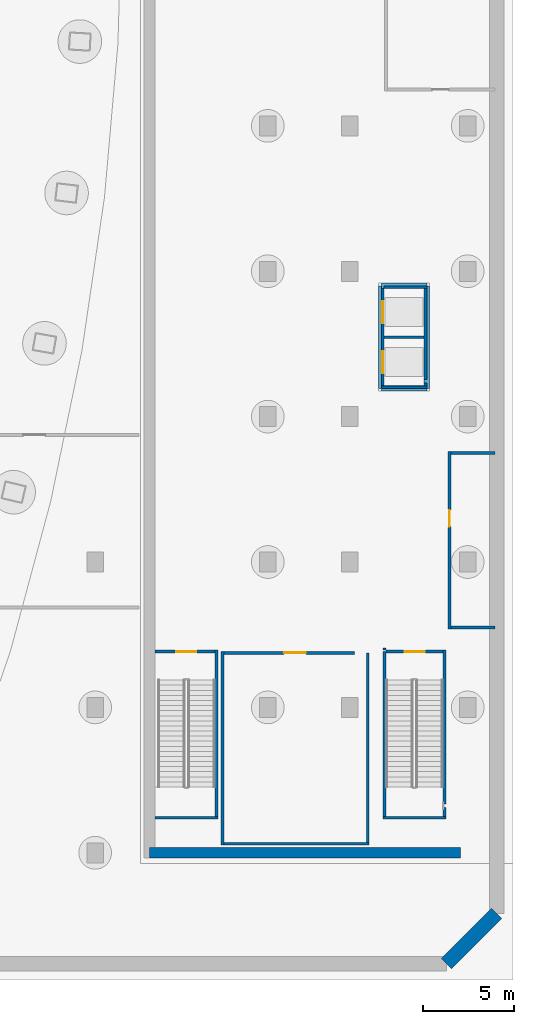
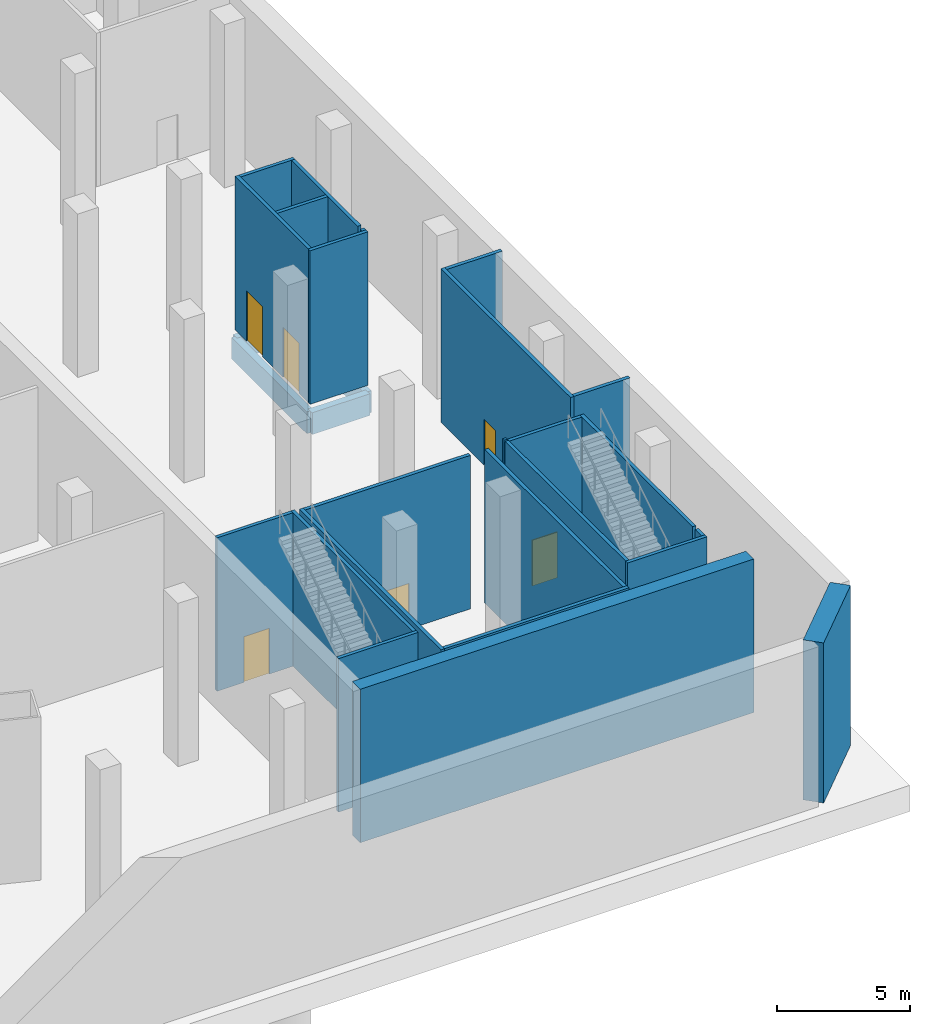
# One storey, part 7 of 19: 28 walls, 6 doors, 6 openings.
"""IFC4 building model written with IfcOpenShell, lengths in metres."""

from ifc_helpers import new_model, si_unit, direction, frame, frame_2d, origin, place, context, subcontext, project, spatial, rectangle, extrude, material, layer, layer_set, type_object, element, fill, save


model = new_model("IFC4")

# Units and contexts
model_context = context("Model", 3, precision=1e-05, world=origin(), true_north=direction((0.0, 1.0)))
body_context = subcontext(model_context, "Body", "Model", "MODEL_VIEW")
ifc_project = project(units=[si_unit("LENGTHUNIT", "METRE"), si_unit("AREAUNIT", "SQUARE_METRE"), si_unit("VOLUMEUNIT", "CUBIC_METRE"), si_unit("PLANEANGLEUNIT", "RADIAN"), si_unit("MASSUNIT", "GRAM", prefix="KILO")], contexts=[model_context])

# Site, building, storey
site_placement = place(None, origin())
site = spatial("IfcSite", under=ifc_project, at=site_placement, CompositionType="ELEMENT")
building_placement = place(site_placement, origin())
building = spatial("IfcBuilding", under=site, at=building_placement, Name="Alderwake Tower", CompositionType="ELEMENT")
storey_placement = place(building_placement, frame((0.0, 0.0, -14.0)))
storey = spatial("IfcBuildingStorey", under=building, at=storey_placement, Name="B2", CompositionType="ELEMENT", Elevation=-14.0)

# Walls
ifc_material_1 = material(Name="Concrete C50/60", Category="concrete")
ifc_layer_1 = layer(ifc_material_1, 0.800048828125)
ifc_layer_set_1 = layer_set([ifc_layer_1], Name="Basement retaining wall 800")
wall_type_1 = type_object("IfcWallType", Name="Basement retaining wall 800", PredefinedType="SOLIDWALL", material=ifc_layer_set_1)
wall_1_placement = place(storey_placement, frame((86.10009765625, 4.665771484375, -0.300048828125), z_axis=(0.0, 0.0, 1.0), x_axis=(-0.707106781187, -0.707106781187, 0.0)))
element("IfcWall", 1, at=wall_1_placement, inside=storey, type_object=wall_type_1, Name="Retaining wall 7", PredefinedType="SOLIDWALL", context=body_context, shape_type="SweptSolid", body=[
    extrude(rectangle(XDim=3.91162109375, YDim=0.800048828125, at=frame_2d((1.955810546875, 0.0))), origin(), (0.0, 0.0, 1.0), 7.35009765625),
])
ifc_material_2 = material(Name="Gypsum board on metal studs, rated")
ifc_layer_2 = layer(ifc_material_2, 0.159912109375)
ifc_layer_set_2 = layer_set([ifc_layer_2], Name="Corridor wall 160")
wall_type_2 = type_object("IfcWallType", Name="Corridor wall 160", PredefinedType="PARTITIONING", material=ifc_layer_set_2)
wall_2_placement = place(storey_placement, frame((71.0009765625, 8.4189453125, 0.0), z_axis=(0.0, 0.0, 1.0), x_axis=(0.0, 1.0, 0.0)))
element("IfcWall", 2, at=wall_2_placement, inside=storey, type_object=wall_type_2, Name="WL/B2/W59", PredefinedType="PARTITIONING", context=body_context, shape_type="SweptSolid", body=[
    extrude(rectangle(XDim=10.66015625, YDim=0.159912109375, at=frame_2d((5.330078125, 0.0))), origin(), (0.0, 0.0, 1.0), 7.050048828125),
])

# Wall, opening, door
wall_3_placement = place(storey_placement, frame((71.0810546875, 18.9990234375, 0.0), z_axis=(0.0, 0.0, 1.0), x_axis=(1.0, 0.0, 0.0)))
wall_3 = element("IfcWall", 3, at=wall_3_placement, inside=storey, type_object=wall_type_2, Name="WL/B2/W60", PredefinedType="PARTITIONING", context=body_context, shape_type="SweptSolid", body=[
    extrude(rectangle(XDim=7.179931640625, YDim=0.159912109375, at=frame_2d((3.58984375, 0.0))), origin(), (0.0, 0.0, 1.0), 7.050048828125),
])
opening_1_placement = place(wall_3_placement, frame((3.319091796875, 0.0, 0.0)))
opening_1 = element("IfcOpeningElement", 4, at=opening_1_placement, cuts=wall_3, Name="Opening B2-07", PredefinedType="OPENING", context=body_context, shape_type="SweptSolid", body=[
    extrude(rectangle(XDim=1.199951171875, YDim=2.10009765625, at=frame_2d((0.60009765625, 1.050048828125))), frame((0.0, 0.08984375, 0.0), z_axis=(0.0, -1.0, 0.0), x_axis=(1.0, 0.0, 0.0)), (0.0, 0.0, 1.0), 0.179931640625),
])
ifc_material_3 = material(Name="Steel door leaf in steel frame", Category="steel")
door_type_1 = type_object("IfcDoorType", Name="Plant room door 1200 steel", OperationType="SINGLE_SWING_LEFT", PredefinedType="DOOR", material=ifc_material_3)
door_1_placement = place(opening_1_placement, origin())
door_1 = element("IfcDoor", 5, at=door_1_placement, inside=storey, type_object=door_type_1, Name="DR/B2/07", OperationType="SINGLE_SWING_LEFT", OverallHeight=2.10009765625, OverallWidth=1.199951171875, PredefinedType="DOOR", context=body_context, shape_type="SweptSolid", body=[
    extrude(rectangle(XDim=1.199951171875, YDim=2.10009765625, at=frame_2d((0.60009765625, 1.050048828125))), frame((0.0, 0.02490234375, 0.0), z_axis=(0.0, -1.0, 0.0), x_axis=(1.0, 0.0, 0.0)), (0.0, 0.0, 1.0), 0.050048828125),
])
fill(opening_1, door_1)

# Walls
wall_4_placement = place(storey_placement, frame((79.0791015625, 8.4990234375, 0.0), z_axis=(0.0, 0.0, 1.0), x_axis=(-1.0, 0.0, 0.0)))
element("IfcWall", 6, at=wall_4_placement, inside=storey, type_object=wall_type_2, Name="WL/B2/W63", PredefinedType="PARTITIONING", context=body_context, shape_type="SweptSolid", body=[
    extrude(rectangle(XDim=7.998046875, YDim=0.159912109375, at=frame_2d((3.9990234375, 0.0))), origin(), (0.0, 0.0, 1.0), 7.050048828125),
])
wall_5_placement = place(storey_placement, frame((78.9990234375, 18.989990234375, 0.0), z_axis=(0.0, 0.0, 1.0), x_axis=(0.0, -1.0, 0.0)))
element("IfcWall", 7, at=wall_5_placement, inside=storey, type_object=wall_type_2, Name="WL/B2/W64", PredefinedType="PARTITIONING", context=body_context, shape_type="SweptSolid", body=[
    extrude(rectangle(XDim=10.410888671875, YDim=0.159912109375, at=frame_2d((5.20556640625, 0.0))), origin(), (0.0, 0.0, 1.0), 7.050048828125),
])

# Wall, opening, door
wall_6_placement = place(storey_placement, frame((83.4990234375, 20.320068359375, 0.0), z_axis=(0.0, 0.0, 1.0), x_axis=(0.0, 1.0, 0.0)))
wall_6 = element("IfcWall", 8, at=wall_6_placement, inside=storey, type_object=wall_type_2, Name="WL/B2/W69", PredefinedType="PARTITIONING", context=body_context, shape_type="SweptSolid", body=[
    extrude(rectangle(XDim=9.760009765625, YDim=0.159912109375, at=frame_2d((4.8798828125, 0.0))), origin(), (0.0, 0.0, 1.0), 7.050048828125),
])
opening_2_placement = place(wall_6_placement, frame((5.6298828125, 0.0, 0.0)))
opening_2 = element("IfcOpeningElement", 9, at=opening_2_placement, cuts=wall_6, Name="Opening B2-08", PredefinedType="OPENING", context=body_context, shape_type="SweptSolid", body=[
    extrude(rectangle(XDim=0.89990234375, YDim=2.10009765625, at=frame_2d((0.449951171875, 1.050048828125))), frame((0.0, 0.08984375, 0.0), z_axis=(0.0, -1.0, 0.0), x_axis=(1.0, 0.0, 0.0)), (0.0, 0.0, 1.0), 0.179931640625),
])
ifc_material_4 = material(Name="Painted timber leaf", Category="wood")
door_type_2 = type_object("IfcDoorType", Name="Room door 900", OperationType="SINGLE_SWING_LEFT", PredefinedType="DOOR", material=ifc_material_4)
door_2_placement = place(opening_2_placement, origin())
door_2 = element("IfcDoor", 10, at=door_2_placement, inside=storey, type_object=door_type_2, Name="DR/B2/08", OperationType="SINGLE_SWING_LEFT", OverallHeight=2.10009765625, OverallWidth=0.89990234375, PredefinedType="DOOR", context=body_context, shape_type="SweptSolid", body=[
    extrude(rectangle(XDim=0.89990234375, YDim=2.10009765625, at=frame_2d((0.449951171875, 1.050048828125))), frame((0.0, 0.02490234375, 0.0), z_axis=(0.0, -1.0, 0.0), x_axis=(1.0, 0.0, 0.0)), (0.0, 0.0, 1.0), 0.050048828125),
])
fill(opening_2, door_2)

# Walls
for number, where, z_axis, x_axis, name in (
    (11, (83.5791015625, 30.0, 0.0), (0.0, 0.0, 1.0), (1.0, 0.0, 0.0), "WL/B2/W70"),
    (12, (86.0009765625, 20.39990234375, 0.0), (0.0, 0.0, 1.0), (-1.0, 0.0, 0.0), "WL/B2/W71"),
):
    element("IfcWall", number, at=place(storey_placement, frame(where, z_axis=z_axis, x_axis=x_axis)), inside=storey, type_object=wall_type_2, Name=name, PredefinedType="PARTITIONING", context=body_context, shape_type="SweptSolid", body=[
        extrude(rectangle(XDim=2.421875, YDim=0.159912109375, at=frame_2d((1.2109375, 0.0))), origin(), (0.0, 0.0, 1.0), 7.050048828125),
    ])
ifc_material_5 = material(Name="Concrete C70/85", Category="concrete")
ifc_layer_3 = layer(ifc_material_5, 0.300048828125)
ifc_layer_set_3 = layer_set([ifc_layer_3], Name="Lift pit wall 300")
wall_type_3 = type_object("IfcWallType", Name="Lift pit wall 300", PredefinedType="SOLIDWALL", material=ifc_layer_set_3)
wall_7_placement = place(storey_placement, frame((79.75, 33.550048828125, -1.300048828125), z_axis=(0.0, 0.0, 1.0), x_axis=(1.0, 0.0, 0.0)))
element("IfcWall", 13, at=wall_7_placement, inside=storey, type_object=wall_type_3, Name="Lift pit wall 1", PredefinedType="SOLIDWALL", context=body_context, shape_type="SweptSolid", body=[
    extrude(rectangle(XDim=2.5, YDim=0.300048828125, at=frame_2d((1.25, 0.0))), origin(), (0.0, 0.0, 1.0), 1.0),
])
wall_8_placement = place(storey_placement, frame((82.25, 33.550048828125, -1.300048828125), z_axis=(0.0, 0.0, 1.0), x_axis=(0.0, 1.0, 0.0)))
element("IfcWall", 14, at=wall_8_placement, inside=storey, type_object=wall_type_3, Name="Lift pit wall 2", PredefinedType="SOLIDWALL", context=body_context, shape_type="SweptSolid", body=[
    extrude(rectangle(XDim=5.64990234375, YDim=0.300048828125, at=frame_2d((2.824951171875, 0.0))), origin(), (0.0, 0.0, 1.0), 1.0),
])
wall_9_placement = place(storey_placement, frame((82.25, 39.199951171875, -1.300048828125), z_axis=(0.0, 0.0, 1.0), x_axis=(-1.0, 0.0, 0.0)))
element("IfcWall", 15, at=wall_9_placement, inside=storey, type_object=wall_type_3, Name="Lift pit wall 3", PredefinedType="SOLIDWALL", context=body_context, shape_type="SweptSolid", body=[
    extrude(rectangle(XDim=2.5, YDim=0.300048828125, at=frame_2d((1.25, 0.0))), origin(), (0.0, 0.0, 1.0), 1.0),
])
wall_10_placement = place(storey_placement, frame((79.75, 39.199951171875, -1.300048828125), z_axis=(0.0, 0.0, 1.0), x_axis=(0.0, -1.0, 0.0)))
element("IfcWall", 16, at=wall_10_placement, inside=storey, type_object=wall_type_3, Name="Lift pit wall 4", PredefinedType="SOLIDWALL", context=body_context, shape_type="SweptSolid", body=[
    extrude(rectangle(XDim=5.64990234375, YDim=0.300048828125, at=frame_2d((2.824951171875, 0.0))), origin(), (0.0, 0.0, 1.0), 1.0),
])

# Wall, opening, door
ifc_material_6 = material(Name="Gypsum shaft wall system, rated")
ifc_layer_4 = layer(ifc_material_6, 0.14990234375)
ifc_layer_set_4 = layer_set([ifc_layer_4], Name="Riser and shaft wall 150")
wall_type_4 = type_object("IfcWallType", Name="Riser and shaft wall 150", PredefinedType="PARTITIONING", material=ifc_layer_set_4)
wall_11_placement = place(storey_placement, frame((67.300048828125, 19.073974609375, 0.0), z_axis=(0.0, 0.0, 1.0), x_axis=(1.0, 0.0, 0.0)))
wall_11 = element("IfcWall", 17, at=wall_11_placement, inside=storey, type_object=wall_type_4, Name="WL/B2/W14", PredefinedType="PARTITIONING", context=body_context, shape_type="SweptSolid", body=[
    extrude(rectangle(XDim=3.299072265625, YDim=0.14990234375, at=frame_2d((1.6494140625, 0.0))), origin(), (0.0, 0.0, 1.0), 7.050048828125),
])
opening_3_placement = place(wall_11_placement, frame((1.175048828125, 0.0, 0.0)))
opening_3 = element("IfcOpeningElement", 18, at=opening_3_placement, cuts=wall_11, Name="Opening B2-01", PredefinedType="OPENING", context=body_context, shape_type="SweptSolid", body=[
    extrude(rectangle(XDim=1.10009765625, YDim=2.10009765625, at=frame_2d((0.550048828125, 1.050048828125))), frame((0.0, 0.0849609375, 0.0), z_axis=(0.0, -1.0, 0.0), x_axis=(1.0, 0.0, 0.0)), (0.0, 0.0, 1.0), 0.169921875),
])
ifc_material_7 = material(Name="Steel-framed fire door leaf", Category="steel")
door_type_3 = type_object("IfcDoorType", Name="Stair door 1100 fire-rated", OperationType="SINGLE_SWING_LEFT", PredefinedType="DOOR", material=ifc_material_7)
door_3_placement = place(opening_3_placement, origin())
door_3 = element("IfcDoor", 19, at=door_3_placement, inside=storey, type_object=door_type_3, Name="DR/B2/01", OperationType="SINGLE_SWING_LEFT", OverallHeight=2.10009765625, OverallWidth=1.10009765625, PredefinedType="DOOR", context=body_context, shape_type="SweptSolid", body=[
    extrude(rectangle(XDim=1.10009765625, YDim=2.10009765625, at=frame_2d((0.550048828125, 1.050048828125))), frame((0.0, 0.02490234375, 0.0), z_axis=(0.0, -1.0, 0.0), x_axis=(1.0, 0.0, 0.0)), (0.0, 0.0, 1.0), 0.050048828125),
])
fill(opening_3, door_3)

# Wall
wall_12_placement = place(storey_placement, frame((79.7490234375, 33.6240234375, 0.0), z_axis=(0.0, 0.0, 1.0), x_axis=(1.0, 0.0, 0.0)))
element("IfcWall", 20, at=wall_12_placement, inside=storey, type_object=wall_type_4, Name="WL/B2/W21", PredefinedType="PARTITIONING", context=body_context, shape_type="SweptSolid", body=[
    extrude(rectangle(XDim=2.501953125, YDim=0.14990234375, at=frame_2d((1.2509765625, 0.0))), origin(), (0.0, 0.0, 1.0), 7.050048828125),
])

# Wall, openings, doors
wall_13_placement = place(storey_placement, frame((79.823974609375, 33.698974609375, 0.0), z_axis=(0.0, 0.0, 1.0), x_axis=(0.0, 1.0, 0.0)))
wall_13 = element("IfcWall", 21, at=wall_13_placement, inside=storey, type_object=wall_type_4, Name="WL/B2/W22", PredefinedType="PARTITIONING", context=body_context, shape_type="SweptSolid", body=[
    extrude(rectangle(XDim=5.501953125, YDim=0.14990234375, at=frame_2d((2.7509765625, 0.0))), origin(), (0.0, 0.0, 1.0), 7.050048828125),
])
opening_4_placement = place(wall_13_placement, frame((0.700927734375, 0.0, 0.0)))
opening_4 = element("IfcOpeningElement", 22, at=opening_4_placement, cuts=wall_13, Name="Opening LD-SL1", PredefinedType="OPENING", context=body_context, shape_type="SweptSolid", body=[
    extrude(rectangle(XDim=1.199951171875, YDim=2.300048828125, at=frame_2d((0.60009765625, 1.14990234375))), frame((0.0, 0.0849609375, 0.0), z_axis=(0.0, -1.0, 0.0), x_axis=(1.0, 0.0, 0.0)), (0.0, 0.0, 1.0), 0.169921875),
])
opening_5_placement = place(wall_13_placement, frame((3.450927734375, 0.0, 0.0)))
opening_5 = element("IfcOpeningElement", 23, at=opening_5_placement, cuts=wall_13, Name="Opening LD-SL2", PredefinedType="OPENING", context=body_context, shape_type="SweptSolid", body=[
    extrude(rectangle(XDim=1.199951171875, YDim=2.300048828125, at=frame_2d((0.60009765625, 1.14990234375))), frame((0.0, 0.0849609375, 0.0), z_axis=(0.0, -1.0, 0.0), x_axis=(1.0, 0.0, 0.0)), (0.0, 0.0, 1.0), 0.169921875),
])
ifc_material_8 = material(Name="Stainless steel sliding leaf", Category="steel")
door_type_4 = type_object("IfcDoorType", Name="Lift landing door 1200", OperationType="SLIDING_TO_LEFT", PredefinedType="DOOR", material=ifc_material_8)
door_4_placement = place(opening_4_placement, origin())
door_4 = element("IfcDoor", 24, at=door_4_placement, inside=storey, type_object=door_type_4, Name="DR/B2/05", OperationType="SLIDING_TO_LEFT", OverallHeight=2.300048828125, OverallWidth=1.199951171875, PredefinedType="DOOR", context=body_context, shape_type="SweptSolid", body=[
    extrude(rectangle(XDim=1.199951171875, YDim=2.300048828125, at=frame_2d((0.60009765625, 1.14990234375))), frame((0.0, 0.02490234375, 0.0), z_axis=(0.0, -1.0, 0.0), x_axis=(1.0, 0.0, 0.0)), (0.0, 0.0, 1.0), 0.050048828125),
])
fill(opening_4, door_4)
door_5_placement = place(opening_5_placement, origin())
door_5 = element("IfcDoor", 25, at=door_5_placement, inside=storey, type_object=door_type_4, Name="DR/B2/06", OperationType="SLIDING_TO_LEFT", OverallHeight=2.300048828125, OverallWidth=1.199951171875, PredefinedType="DOOR", context=body_context, shape_type="SweptSolid", body=[
    extrude(rectangle(XDim=1.199951171875, YDim=2.300048828125, at=frame_2d((0.60009765625, 1.14990234375))), frame((0.0, 0.02490234375, 0.0), z_axis=(0.0, -1.0, 0.0), x_axis=(1.0, 0.0, 0.0)), (0.0, 0.0, 1.0), 0.050048828125),
])
fill(opening_5, door_5)

# Walls
wall_14_placement = place(storey_placement, frame((79.926025390625, 19.14892578125, 0.0), z_axis=(0.0, 0.0, 1.0), x_axis=(0.0, 1.0, 0.0)))
element("IfcWall", 26, at=wall_14_placement, inside=storey, type_object=wall_type_4, Name="WL/B2/W25", PredefinedType="PARTITIONING", context=body_context, shape_type="SweptSolid", body=[
    extrude(rectangle(XDim=0.112060546875, YDim=0.14990234375, at=frame_2d((0.05615234375, 0.0))), origin(), (0.0, 0.0, 1.0), 7.050048828125),
])
wall_15_placement = place(storey_placement, frame((82.176025390625, 33.698974609375, 0.0), z_axis=(0.0, 0.0, 1.0), x_axis=(0.0, 1.0, 0.0)))
element("IfcWall", 27, at=wall_15_placement, inside=storey, type_object=wall_type_4, Name="WL/B2/W26", PredefinedType="PARTITIONING", context=body_context, shape_type="SweptSolid", body=[
    extrude(rectangle(XDim=0.153076171875, YDim=0.14990234375, at=frame_2d((0.07666015625, 0.0))), origin(), (0.0, 0.0, 1.0), 7.050048828125),
])
wall_16_placement = place(storey_placement, frame((82.10107421875, 36.375, 0.0), z_axis=(0.0, 0.0, 1.0), x_axis=(-1.0, 0.0, 0.0)))
element("IfcWall", 28, at=wall_16_placement, inside=storey, type_object=wall_type_4, Name="WL/B2/W27", PredefinedType="PARTITIONING", context=body_context, shape_type="SweptSolid", body=[
    extrude(rectangle(XDim=2.2021484375, YDim=0.14990234375, at=frame_2d((1.10107421875, 0.0))), origin(), (0.0, 0.0, 1.0), 7.050048828125),
])
wall_17_placement = place(storey_placement, frame((82.2509765625, 39.1259765625, 0.0), z_axis=(0.0, 0.0, 1.0), x_axis=(-1.0, 0.0, 0.0)))
element("IfcWall", 29, at=wall_17_placement, inside=storey, type_object=wall_type_4, Name="WL/B2/W28", PredefinedType="PARTITIONING", context=body_context, shape_type="SweptSolid", body=[
    extrude(rectangle(XDim=2.35205078125, YDim=0.14990234375, at=frame_2d((1.176025390625, 0.0))), origin(), (0.0, 0.0, 1.0), 7.050048828125),
])
wall_18_placement = place(storey_placement, frame((82.176025390625, 39.051025390625, 0.0), z_axis=(0.0, 0.0, 1.0), x_axis=(0.0, -1.0, 0.0)))
element("IfcWall", 30, at=wall_18_placement, inside=storey, type_object=wall_type_4, Name="WL/B2/W29", PredefinedType="PARTITIONING", context=body_context, shape_type="SweptSolid", body=[
    extrude(rectangle(XDim=5.0029296875, YDim=0.14990234375, at=frame_2d((2.50146484375, 0.0))), origin(), (0.0, 0.0, 1.0), 7.050048828125),
])

# Wall, opening, door
wall_19_placement = place(storey_placement, frame((80.0009765625, 19.073974609375, 0.0), z_axis=(0.0, 0.0, 1.0), x_axis=(1.0, 0.0, 0.0)))
wall_19 = element("IfcWall", 31, at=wall_19_placement, inside=storey, type_object=wall_type_4, Name="WL/B2/W32", PredefinedType="PARTITIONING", context=body_context, shape_type="SweptSolid", body=[
    extrude(rectangle(XDim=3.14990234375, YDim=0.14990234375, at=frame_2d((1.574951171875, 0.0))), origin(), (0.0, 0.0, 1.0), 7.050048828125),
])
opening_6_placement = place(wall_19_placement, frame((1.02392578125, 0.0, 0.0)))
opening_6 = element("IfcOpeningElement", 32, at=opening_6_placement, cuts=wall_19, Name="Opening B2-02", PredefinedType="OPENING", context=body_context, shape_type="SweptSolid", body=[
    extrude(rectangle(XDim=1.10009765625, YDim=2.10009765625, at=frame_2d((0.550048828125, 1.050048828125))), frame((0.0, 0.0849609375, 0.0), z_axis=(0.0, -1.0, 0.0), x_axis=(1.0, 0.0, 0.0)), (0.0, 0.0, 1.0), 0.169921875),
])
door_6_placement = place(opening_6_placement, origin())
door_6 = element("IfcDoor", 33, at=door_6_placement, inside=storey, type_object=door_type_3, Name="DR/B2/02", OperationType="SINGLE_SWING_LEFT", OverallHeight=2.10009765625, OverallWidth=1.10009765625, PredefinedType="DOOR", context=body_context, shape_type="SweptSolid", body=[
    extrude(rectangle(XDim=1.10009765625, YDim=2.10009765625, at=frame_2d((0.550048828125, 1.050048828125))), frame((0.0, 0.02490234375, 0.0), z_axis=(0.0, -1.0, 0.0), x_axis=(1.0, 0.0, 0.0)), (0.0, 0.0, 1.0), 0.050048828125),
])
fill(opening_6, door_6)

# Walls
ifc_material_9 = material(Name="Concrete C40/50", Category="concrete")
ifc_layer_5 = layer(ifc_material_9, 0.14990234375)
ifc_layer_set_5 = layer_set([ifc_layer_5], Name="Stair shaft wall 150 C40/50")
wall_type_5 = type_object("IfcWallType", Name="Stair shaft wall 150 C40/50", PredefinedType="SHEAR", material=ifc_layer_set_5)
wall_20_placement = place(storey_placement, frame((67.300048828125, 9.924072265625, 0.0), z_axis=(0.0, 0.0, 1.0), x_axis=(1.0, 0.0, 0.0)))
element("IfcWall", 34, at=wall_20_placement, inside=storey, type_object=wall_type_5, Name="WL/B2/W11", PredefinedType="SHEAR", context=body_context, shape_type="SweptSolid", body=[
    extrude(rectangle(XDim=3.448974609375, YDim=0.14990234375, at=frame_2d((1.724609375, 0.0))), origin(), (0.0, 0.0, 1.0), 7.050048828125),
])
wall_21_placement = place(storey_placement, frame((70.674072265625, 9.9990234375, 0.0), z_axis=(0.0, 0.0, 1.0), x_axis=(0.0, 1.0, 0.0)))
element("IfcWall", 35, at=wall_21_placement, inside=storey, type_object=wall_type_5, Name="WL/B2/W13", PredefinedType="SHEAR", context=body_context, shape_type="SweptSolid", body=[
    extrude(rectangle(XDim=9.14990234375, YDim=0.14990234375, at=frame_2d((4.574951171875, 0.0))), origin(), (0.0, 0.0, 1.0), 7.050048828125),
])
wall_22_placement = place(storey_placement, frame((79.85107421875, 9.924072265625, 0.0), z_axis=(0.0, 0.0, 1.0), x_axis=(1.0, 0.0, 0.0)))
element("IfcWall", 36, at=wall_22_placement, inside=storey, type_object=wall_type_5, Name="WL/B2/W23", PredefinedType="SHEAR", context=body_context, shape_type="SweptSolid", body=[
    extrude(rectangle(XDim=3.449951171875, YDim=0.14990234375, at=frame_2d((1.72509765625, 0.0))), origin(), (0.0, 0.0, 1.0), 7.050048828125),
])
wall_23_placement = place(storey_placement, frame((79.926025390625, 19.06494140625, 0.0), z_axis=(0.0, 0.0, 1.0), x_axis=(0.0, -1.0, 0.0)))
element("IfcWall", 37, at=wall_23_placement, inside=storey, type_object=wall_type_5, Name="WL/B2/W24", PredefinedType="SHEAR", context=body_context, shape_type="SweptSolid", body=[
    extrude(rectangle(XDim=9.06591796875, YDim=0.14990234375, at=frame_2d((4.532958984375, 0.0))), origin(), (0.0, 0.0, 1.0), 7.050048828125),
])
wall_24_placement = place(storey_placement, frame((83.22607421875, 9.9990234375, 0.0), z_axis=(0.0, 0.0, 1.0), x_axis=(0.0, 1.0, 0.0)))
element("IfcWall", 38, at=wall_24_placement, inside=storey, type_object=wall_type_5, Name="WL/B2/W30", PredefinedType="SHEAR", context=body_context, shape_type="SweptSolid", body=[
    extrude(rectangle(XDim=0.489013671875, YDim=0.14990234375, at=frame_2d((0.24462890625, 0.0))), origin(), (0.0, 0.0, 1.0), 7.050048828125),
])
wall_25_placement = place(storey_placement, frame((83.22607421875, 10.68408203125, 0.0), z_axis=(0.0, 0.0, 1.0), x_axis=(0.0, 1.0, 0.0)))
element("IfcWall", 39, at=wall_25_placement, inside=storey, type_object=wall_type_5, Name="WL/B2/W31", PredefinedType="SHEAR", context=body_context, shape_type="SweptSolid", body=[
    extrude(rectangle(XDim=8.46484375, YDim=0.14990234375, at=frame_2d((4.232421875, 0.0))), origin(), (0.0, 0.0, 1.0), 7.050048828125),
])
ifc_material_10 = material(Name="Concrete C70/85", Category="concrete")
ifc_layer_6 = layer(ifc_material_10, 0.60009765625)
ifc_layer_set_6 = layer_set([ifc_layer_6], Name="Station box wall 600")
wall_type_6 = type_object("IfcWallType", Name="Station box wall 600", PredefinedType="SHEAR", material=ifc_layer_set_6)
wall_26_placement = place(storey_placement, frame((67.0, 8.0, 0.0), z_axis=(0.0, 0.0, 1.0), x_axis=(1.0, 0.0, 0.0)))
element("IfcWall", 40, at=wall_26_placement, inside=storey, type_object=wall_type_6, Name="Station box wall S", PredefinedType="SHEAR", context=body_context, shape_type="SweptSolid", body=[
    extrude(rectangle(XDim=17.10009765625, YDim=0.60009765625, at=frame_2d((8.550048828125, 0.0))), origin(), (0.0, 0.0, 1.0), 7.050048828125),
])

save(model, "model.ifc")
